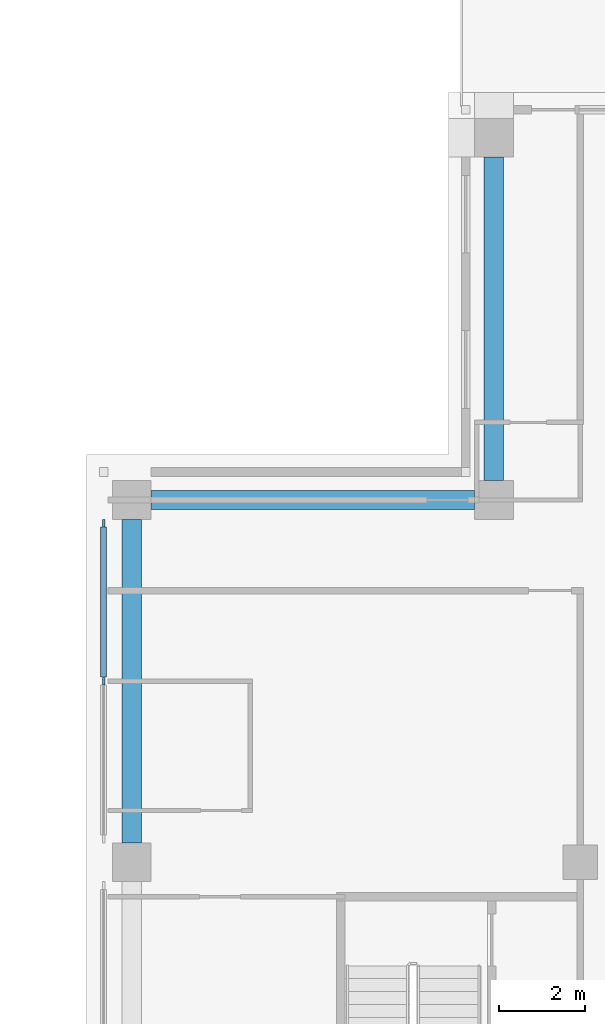
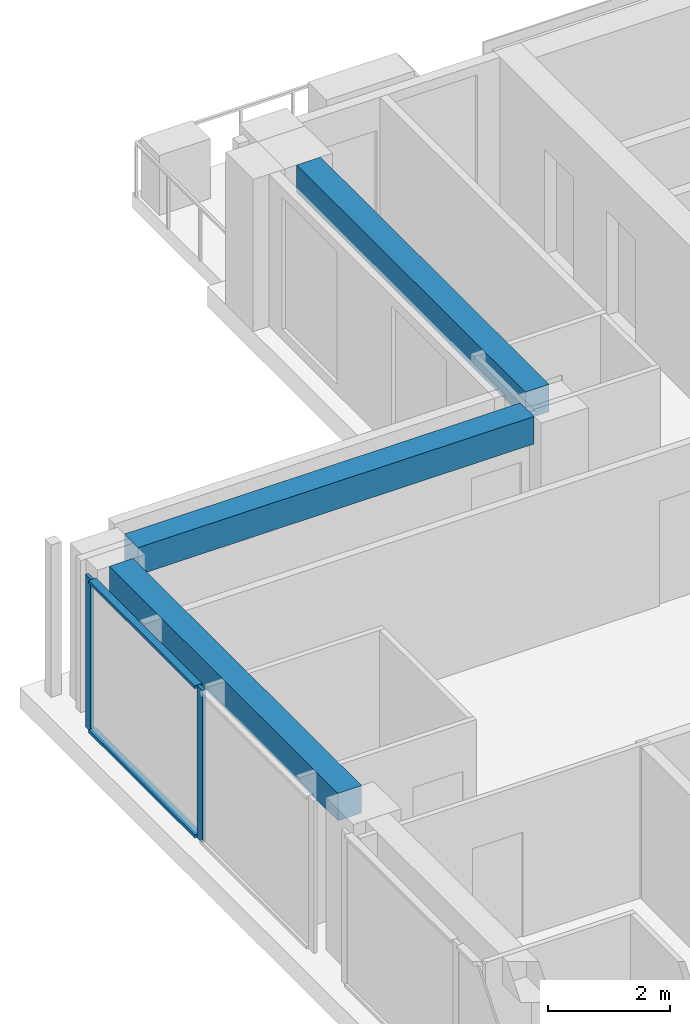
# One storey, part 6 of 18: 4 members, 3 beams, 1 element without a shape of its own.
"""IFC4 building model written with IfcOpenShell, lengths in metres."""

import ifcopenshell
import ifcopenshell.guid

model = None  # the IFC model being written
_history = None  # IfcOwnerHistory: only IFC2X3 demands one
_inside = {}  # id of a spatial element -> (the spatial element, [elements in it])
_under = {}  # id of a project, library or spatial element -> (it, [spatial elements below it])
_declared = {}  # id of a project -> (the project, [libraries it declares])
_typed = {}  # id of a type object -> (the type object, [elements of that type])
_made_of = {}  # id of a material, layer set ... -> (it, [elements and type objects made of it])


def new_model(schema):
    """Start an empty IFC model of exactly this schema.

    Asked for "IFC4X3", IfcOpenShell would pick the latest addendum, in which some entities
    have other attributes; the version numbers below select the first issue.
    IFC2X3 requires an IfcOwnerHistory on every rooted entity: one is made here for all.
    """
    global model, _history
    if schema == "IFC4X3":
        model = ifcopenshell.file(schema_version=(4, 3, 0, 0))
    else:
        model = ifcopenshell.file(schema=schema)
    _inside.clear()
    _under.clear()
    _declared.clear()
    _typed.clear()
    _made_of.clear()
    _history = None
    if model.schema == "IFC2X3":
        org = make("IfcOrganization", Name="unknown")
        user = make(
            "IfcPersonAndOrganization",
            ThePerson=make("IfcPerson", FamilyName="unknown"),
            TheOrganization=org,
        )
        app = make(
            "IfcApplication",
            ApplicationDeveloper=org,
            Version="unknown",
            ApplicationFullName="unknown",
            ApplicationIdentifier="unknown",
        )
        _history = make(
            "IfcOwnerHistory",
            OwningUser=user,
            OwningApplication=app,
            ChangeAction="ADDED",
            CreationDate=0,
        )
    return model


def make(cls, **values):
    """One entity of the class cls with the attributes given. An attribute that is None is left unset."""
    return model.create_entity(
        cls, **{name: value for name, value in values.items() if value is not None}
    )


def rooted(cls, **values):
    """An entity with a GlobalId (a new one), such as an element, a storey or a relation."""
    return make(cls, GlobalId=ifcopenshell.guid.new(), OwnerHistory=_history, **values)


def si_unit(unit_type, name, prefix=None):
    """IfcSIUnit, for example si_unit("LENGTHUNIT", "METRE", prefix="MILLI")."""
    return make("IfcSIUnit", UnitType=unit_type, Prefix=prefix, Name=name)


def assignment(units):
    """IfcUnitAssignment: the units of a project."""
    return None if units is None else make("IfcUnitAssignment", Units=units)


def point(xyz):
    """IfcCartesianPoint."""
    return None if xyz is None else make("IfcCartesianPoint", Coordinates=xyz)


def direction(xyz):
    """IfcDirection."""
    return None if xyz is None else make("IfcDirection", DirectionRatios=xyz)


def frame(location, z_axis=None, x_axis=None):
    """IfcAxis2Placement3D, a coordinate frame: its origin and axes. An axis left out is left unset."""
    return make(
        "IfcAxis2Placement3D",
        Location=point(location),
        Axis=direction(z_axis),
        RefDirection=direction(x_axis),
    )


def frame_2d(location, x_axis=None):
    """IfcAxis2Placement2D, a coordinate frame in the plane: its origin and x axis."""
    return make(
        "IfcAxis2Placement2D", Location=point(location), RefDirection=direction(x_axis)
    )


def origin():
    """The frame at (0, 0, 0) with its axes left unset."""
    return frame((0.0, 0.0, 0.0))


def origin_2d():
    """The frame at (0, 0) in the plane with its x axis left unset."""
    return frame_2d((0.0, 0.0))


def place(relative_to, where):
    """IfcLocalPlacement: puts the frame where relative to a parent placement (None: the world)."""
    return make(
        "IfcLocalPlacement", PlacementRelTo=relative_to, RelativePlacement=where
    )


def context(
    kind, dimensions, precision=None, world=None, true_north=None, identifier=None
):
    """IfcGeometricRepresentationContext, for example the 3D "Model" context."""
    return make(
        "IfcGeometricRepresentationContext",
        ContextIdentifier=identifier,
        ContextType=kind,
        CoordinateSpaceDimension=dimensions,
        Precision=precision,
        WorldCoordinateSystem=world,
        TrueNorth=true_north,
    )


def subcontext(parent, identifier, kind, view, scale=None):
    """IfcGeometricRepresentationSubContext, for example "Body" below "Model"."""
    return make(
        "IfcGeometricRepresentationSubContext",
        ContextIdentifier=identifier,
        ContextType=kind,
        ParentContext=parent,
        TargetScale=scale,
        TargetView=view,
    )


def project(units=None, contexts=None):
    """IfcProject with its units and contexts."""
    return rooted(
        "IfcProject",
        Name="project",
        RepresentationContexts=contexts,
        UnitsInContext=assignment(units),
    )


def spatial(cls, under=None, at=None, **own):
    """A site, building, storey or space (cls), placed at a placement, below another one or the project."""
    s = rooted(cls, ObjectPlacement=at, **own)
    if under is not None:
        _under.setdefault(under.id(), (under, []))[1].append(s)
    return s


def profile(cls, at=None, kind="AREA", **sizes):
    """A parametric profile (cls). Its sizes go by their IFC names, for example OverallWidth=200.0."""
    return make(cls, ProfileType=kind, Position=at, **sizes)


def rectangle(**sizes):
    """IfcRectangleProfileDef."""
    return profile("IfcRectangleProfileDef", **sizes)


def extrude(swept, where, along, depth):
    """IfcExtrudedAreaSolid: the profile swept, set in the frame where, extruded along a direction by depth."""
    return make(
        "IfcExtrudedAreaSolid",
        SweptArea=swept,
        Position=where,
        ExtrudedDirection=direction(along),
        Depth=depth,
    )


def shape(context_of_items, identifier, shape_type, items):
    """IfcShapeRepresentation: the items that make up one representation, for example the "Body"."""
    return make(
        "IfcShapeRepresentation",
        ContextOfItems=context_of_items,
        RepresentationIdentifier=identifier,
        RepresentationType=shape_type,
        Items=items,
    )


def material(Name=None, Category=None):
    """IfcMaterial."""
    return make("IfcMaterial", Name=Name, Category=Category)


def material_profile(
    of_material, cross_section, Name=None, Category=None, Priority=None
):
    """IfcMaterialProfile: a cross section and its material."""
    return make(
        "IfcMaterialProfile",
        Name=Name,
        Material=of_material,
        Profile=cross_section,
        Priority=Priority,
        Category=Category,
    )


def profile_set(profiles, Name=None, composite=None):
    """IfcMaterialProfileSet."""
    return make(
        "IfcMaterialProfileSet",
        Name=Name,
        MaterialProfiles=profiles,
        CompositeProfile=composite,
    )


def made_of(thing, what):
    """Note that an element or type object is made of a material, layer set ...; save() writes the relation."""
    if what is not None:
        _made_of.setdefault(what.id(), (what, []))[1].append(thing)
    return thing


def type_object(cls, material=None, **own):
    """A type object (cls), such as IfcWallType, which elements share."""
    return made_of(rooted(cls, **own), material)


def element(
    cls,
    number,
    at=None,
    inside=None,
    cuts=None,
    type_object=None,
    material=None,
    context=None,
    identifier="Body",
    shape_type=None,
    held_by="IfcProductDefinitionShape",
    body=None,
    shapes=None,
    **own,
):
    """One element of the class cls, such as IfcWall. Its Tag is "e" and its number.

    at: its placement. inside: the storey or other place that contains it. cuts: it is an
    opening in that element (IfcRelVoidsElement). A single representation is given by context,
    identifier, shape_type and body (its items); several are given by shapes. held_by: the class
    of the entity that holds the representations. save() writes the other relations.
    """
    e = rooted(cls, Tag="e%d" % number, ObjectPlacement=at, **own)
    if body is not None:
        shapes = [shape(context, identifier, shape_type, body)]
    if shapes is not None:
        e.Representation = make(held_by, Representations=shapes)
    if inside is not None:
        _inside.setdefault(inside.id(), (inside, []))[1].append(e)
    if cuts is not None:
        rooted(
            "IfcRelVoidsElement", RelatingBuildingElement=cuts, RelatedOpeningElement=e
        )
    if type_object is not None:
        _typed.setdefault(type_object.id(), (type_object, []))[1].append(e)
    return made_of(e, material)


def aggregate(whole, parts):
    """IfcRelAggregates: a whole, such as a stair, and the parts it consists of."""
    return rooted("IfcRelAggregates", RelatingObject=whole, RelatedObjects=parts)


def save(model, path):
    """Write the relations noted so far, then the file.

    IfcRelAggregates (storeys below a building ...), IfcRelContainedInSpatialStructure (elements
    in a storey), IfcRelDefinesByType, IfcRelAssociatesMaterial and IfcRelDeclares: one each for
    every whole, place, type object, material and project.
    """
    for whole, parts in _under.values():
        aggregate(whole, parts)
    for where, things in _inside.values():
        rooted(
            "IfcRelContainedInSpatialStructure",
            RelatedElements=things,
            RelatingStructure=where,
        )
    for kind, things in _typed.values():
        rooted("IfcRelDefinesByType", RelatedObjects=things, RelatingType=kind)
    for what, things in _made_of.values():
        rooted("IfcRelAssociatesMaterial", RelatedObjects=things, RelatingMaterial=what)
    for by, libraries in _declared.values():
        rooted("IfcRelDeclares", RelatingContext=by, RelatedDefinitions=libraries)
    model.write(path)


model = new_model("IFC4")

# Units and contexts
model_context = context("Model", 3, precision=1e-05, world=origin(), true_north=direction((0.0, 1.0)))
body_context = subcontext(model_context, "Body", "Model", "MODEL_VIEW")
ifc_project = project(units=[si_unit("LENGTHUNIT", "METRE"), si_unit("AREAUNIT", "SQUARE_METRE"), si_unit("VOLUMEUNIT", "CUBIC_METRE"), si_unit("PLANEANGLEUNIT", "RADIAN"), si_unit("MASSUNIT", "GRAM", prefix="KILO")], contexts=[model_context])

# Site, building, storey
site_placement = place(None, origin())
site = spatial("IfcSite", under=ifc_project, at=site_placement, CompositionType="ELEMENT")
building_placement = place(site_placement, origin())
building = spatial("IfcBuilding", under=site, at=building_placement, Name="Vermilion Ogive Tower", CompositionType="ELEMENT")
storey_placement = place(building_placement, frame((0.0, 0.0, 230.35009765625)))
storey = spatial("IfcBuildingStorey", under=building, at=storey_placement, Name="L60", CompositionType="ELEMENT", Elevation=230.35009765625)

# Curtain wall, members
ifc_material_1 = material(Name="Low-iron laminated glazing in aluminium frame", Category="aluminium")
curtain_wall_type = type_object("IfcCurtainWallType", Name="Curtain wall CW7", PredefinedType="NOTDEFINED", material=ifc_material_1)
curtain_wall_placement = place(storey_placement, origin())
curtain_wall = element("IfcCurtainWall", 1, at=curtain_wall_placement, inside=storey, type_object=curtain_wall_type, Name="Glazed skin W1", PredefinedType="NOTDEFINED")
ifc_material_2 = material(Name="Aluminium mullion", Category="aluminium")
ifc_material_profile_1 = material_profile(ifc_material_2, rectangle(XDim=0.06005859375, YDim=0.179931640625, at=origin_2d()), Name="AL 60x180")
ifc_profile_set_1 = profile_set([ifc_material_profile_1], Name="Aluminium mullion")
member_type_1 = type_object("IfcMemberType", Name="CW7 mullion 60x180", PredefinedType="MULLION", material=ifc_profile_set_1)
member_1_placement = place(storey_placement, frame((-25.85009765625, 12.06005859375, 0.0), z_axis=(0.0, 0.0, 1.0), x_axis=(1.0, 0.0, 0.0)))
member_1 = element("IfcMember", 2, at=member_1_placement, type_object=member_type_1, Name="CW7-W1 mullion 1", PredefinedType="MULLION", context=body_context, shape_type="SweptSolid", body=[
    extrude(rectangle(XDim=0.06005859375, YDim=0.179931640625, at=origin_2d()), origin(), (0.0, 0.0, 1.0), 3.0498046875),
])
member_2_placement = place(storey_placement, frame((-25.85009765625, 8.39990234375, 0.0), z_axis=(0.0, 0.0, 1.0), x_axis=(1.0, 0.0, 0.0)))
member_2 = element("IfcMember", 3, at=member_2_placement, type_object=member_type_1, Name="CW7-W1 mullion 2", PredefinedType="MULLION", context=body_context, shape_type="SweptSolid", body=[
    extrude(rectangle(XDim=0.06005859375, YDim=0.179931640625, at=origin_2d()), origin(), (0.0, 0.0, 1.0), 3.0498046875),
])
ifc_material_3 = material(Name="Aluminium transom", Category="aluminium")
ifc_material_profile_2 = material_profile(ifc_material_3, rectangle(XDim=0.139892578125, YDim=0.06005859375, at=origin_2d()), Name="AL 60x140")
ifc_profile_set_2 = profile_set([ifc_material_profile_2], Name="Aluminium transom")
member_type_2 = type_object("IfcMemberType", Name="CW7 transom 60x140", PredefinedType="USERDEFINED", material=ifc_profile_set_2)
member_3_placement = place(storey_placement, frame((-25.85009765625, 11.969970703125, 0.02978515625), z_axis=(0.0, -1.0, 0.0), x_axis=(1.0, 0.0, 0.0)))
member_3 = element("IfcMember", 4, at=member_3_placement, type_object=member_type_2, Name="CW7-W1 transom 1.1", ObjectType="TRANSOM", PredefinedType="USERDEFINED", context=body_context, shape_type="SweptSolid", body=[
    extrude(rectangle(XDim=0.139892578125, YDim=0.06005859375, at=origin_2d()), origin(), (0.0, 0.0, 1.0), 3.47998046875),
])
member_4_placement = place(storey_placement, frame((-25.85009765625, 11.969970703125, 3.02001953125), z_axis=(0.0, -1.0, 0.0), x_axis=(1.0, 0.0, 0.0)))
member_4 = element("IfcMember", 5, at=member_4_placement, type_object=member_type_2, Name="CW7-W1 transom 1.2", ObjectType="TRANSOM", PredefinedType="USERDEFINED", context=body_context, shape_type="SweptSolid", body=[
    extrude(rectangle(XDim=0.139892578125, YDim=0.06005859375, at=origin_2d()), origin(), (0.0, 0.0, 1.0), 3.47998046875),
])
aggregate(curtain_wall, [member_1, member_2, member_3, member_4])

# Beams
ifc_material_4 = material(Name="Concrete B45", Category="concrete")
ifc_material_profile_3 = material_profile(ifc_material_4, rectangle(XDim=0.449951171875, YDim=0.550048828125, at=origin_2d()), Name="450 x 550")
ifc_profile_set_3 = profile_set([ifc_material_profile_3], Name="Concrete B45")
beam_type = type_object("IfcBeamType", Name="Edge beam 450 x 550 B45", PredefinedType="BEAM", material=ifc_profile_set_3)
for number, where, z_axis, x_axis, name in (
    (6, (-16.800048828125, 20.550048828125, 2.77490234375), (0.0, -1.0, 0.0), (1.0, 0.0, 0.0), "L60-EB-12"),
    (7, (-17.25, 12.60009765625, 2.77490234375), (-1.0, 0.0, 0.0), (0.0, -1.0, 0.0), "L60-EB-13"),
    (8, (-25.199951171875, 12.14990234375, 2.77490234375), (0.0, -1.0, 0.0), (1.0, 0.0, 0.0), "L60-EB-14"),
):
    element("IfcBeam", number, at=place(storey_placement, frame(where, z_axis=z_axis, x_axis=x_axis)), inside=storey, type_object=beam_type, Name=name, PredefinedType="BEAM", context=body_context, shape_type="SweptSolid", body=[
        extrude(rectangle(XDim=0.449951171875, YDim=0.550048828125, at=origin_2d()), origin(), (0.0, 0.0, 1.0), 7.5),
    ])

save(model, "model.ifc")
